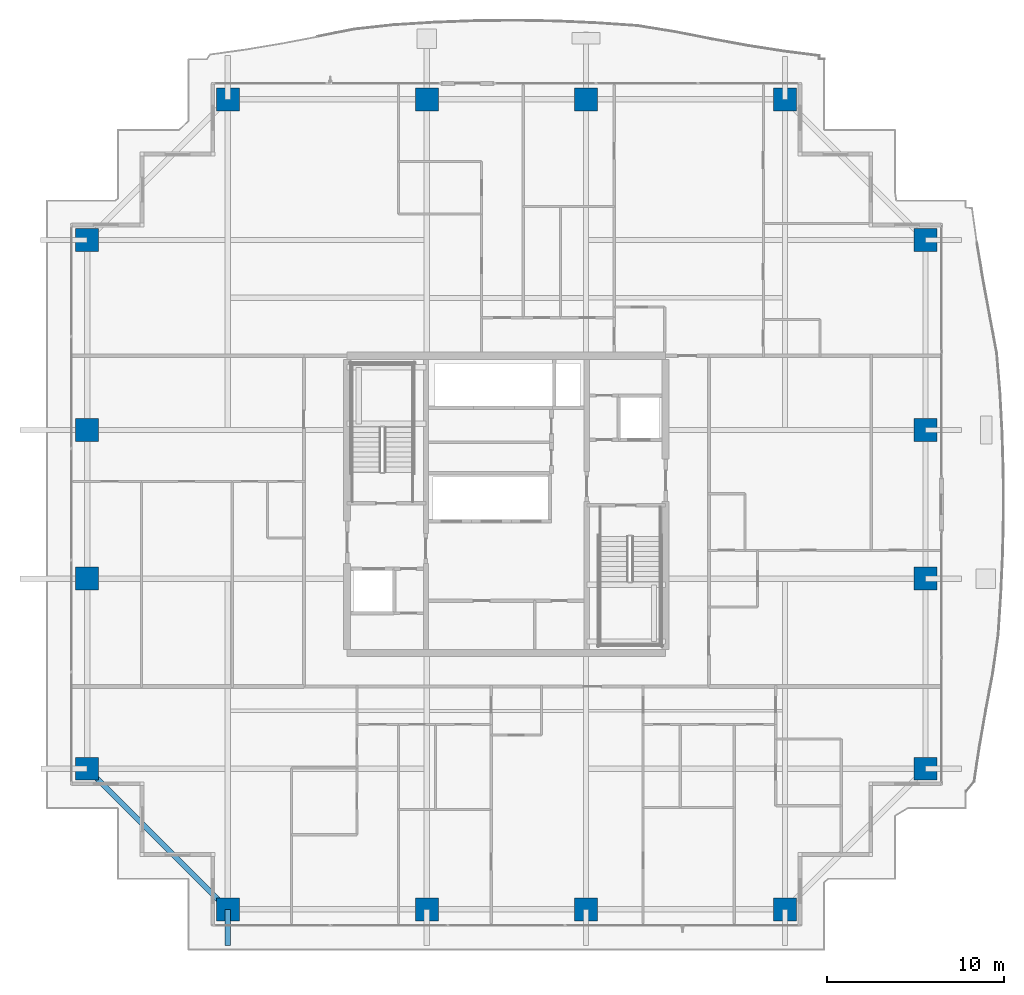
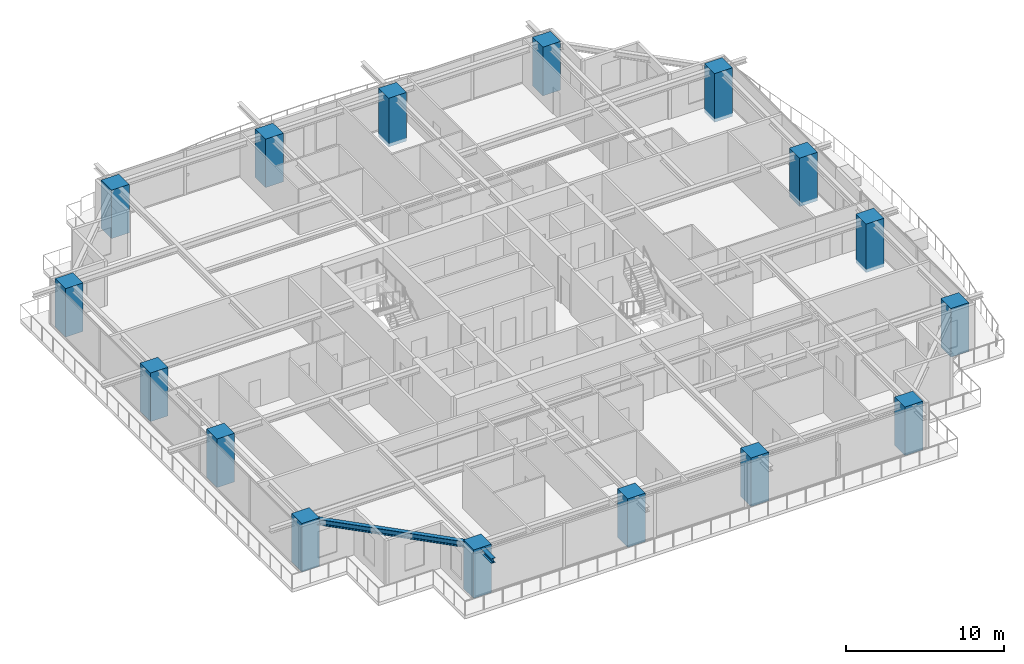
# One storey, part 1 of 34: 16 columns, 2 beams.
"""IFC4 building model written with IfcOpenShell, lengths in metres."""

from ifc_helpers import new_model, si_unit, direction, frame, origin, origin_2d, place, context, subcontext, project, spatial, rectangle, i_section, extrude, source, transform, mapped, material, material_profile, profile_set, type_object, element, save


model = new_model("IFC4")

# Units and contexts
model_context = context("Model", 3, precision=1e-05, world=origin(), true_north=direction((0.0, 1.0)))
body_context = subcontext(model_context, "Body", "Model", "MODEL_VIEW")
ifc_project = project(units=[si_unit("LENGTHUNIT", "METRE"), si_unit("AREAUNIT", "SQUARE_METRE"), si_unit("VOLUMEUNIT", "CUBIC_METRE"), si_unit("PLANEANGLEUNIT", "RADIAN"), si_unit("MASSUNIT", "GRAM", prefix="KILO")], contexts=[model_context])

# Site, building, storey
site_placement = place(None, origin())
site = spatial("IfcSite", under=ifc_project, at=site_placement, CompositionType="ELEMENT")
building_placement = place(site_placement, origin())
building = spatial("IfcBuilding", under=site, at=building_placement, Name="Serunith Strait Residences", CompositionType="ELEMENT")
storey_placement = place(building_placement, frame((0.0, 0.0, 135.14990234375)))
storey = spatial("IfcBuildingStorey", under=building, at=storey_placement, Name="L33", CompositionType="ELEMENT", Elevation=135.14990234375)

# Columns
ifc_material_1 = material(Name="Concrete C80/95", Category="concrete")
ifc_material_profile_1 = material_profile(ifc_material_1, rectangle(XDim=1.300048828125, YDim=1.300048828125, at=origin_2d()), Name="RC 1300x1300")
ifc_profile_set_1 = profile_set([ifc_material_profile_1], Name="Concrete C80/95")
column_type = type_object("IfcColumnType", Name="COL-RC-1300", PredefinedType="COLUMN", material=ifc_profile_set_1)
shared_shape_1 = source(origin(), body_context, "Body", "SweptSolid", [
    extrude(rectangle(XDim=1.300048828125, YDim=1.300048828125, at=origin_2d()), origin(), (0.0, 0.0, 1.0), 3.75),
])
for number, where, z_axis, x_axis, name in (
    (1, (16.64990234375, 2.300048828125, -0.260009765625), (0.0, 0.0, 1.0), (1.0, 0.0, 0.0), "L33 Tower Mega-Column TC-S1"),
    (2, (27.89990234375, 2.300048828125, -0.260009765625), (0.0, 0.0, 1.0), (1.0, 0.0, 0.0), "L33 Tower Mega-Column TC-S2"),
    (3, (36.89990234375, 2.300048828125, -0.260009765625), (0.0, 0.0, 1.0), (1.0, 0.0, 0.0), "L33 Tower Mega-Column TC-S3"),
    (4, (48.14990234375, 2.300048828125, -0.260009765625), (0.0, 0.0, 1.0), (1.0, 0.0, 0.0), "L33 Tower Mega-Column TC-S4"),
    (5, (16.64990234375, 48.10009765625, -0.260009765625), (0.0, 0.0, 1.0), (1.0, 0.0, 0.0), "L33 Tower Mega-Column TC-N1"),
    (6, (27.89990234375, 48.10009765625, -0.260009765625), (0.0, 0.0, 1.0), (1.0, 0.0, 0.0), "L33 Tower Mega-Column TC-N2"),
    (7, (36.89990234375, 48.10009765625, -0.260009765625), (0.0, 0.0, 1.0), (1.0, 0.0, 0.0), "L33 Tower Mega-Column TC-N3"),
    (8, (48.14990234375, 48.10009765625, -0.260009765625), (0.0, 0.0, 1.0), (1.0, 0.0, 0.0), "L33 Tower Mega-Column TC-N4"),
    (9, (56.10009765625, 10.25, -0.260009765625), (0.0, 0.0, 1.0), (1.0, 0.0, 0.0), "L33 Tower Mega-Column TC-E1"),
    (10, (56.10009765625, 21.0, -0.260009765625), (0.0, 0.0, 1.0), (1.0, 0.0, 0.0), "L33 Tower Mega-Column TC-E2"),
    (11, (56.10009765625, 29.39990234375, -0.260009765625), (0.0, 0.0, 1.0), (1.0, 0.0, 0.0), "L33 Tower Mega-Column TC-E3"),
    (12, (56.10009765625, 40.14990234375, -0.260009765625), (0.0, 0.0, 1.0), (1.0, 0.0, 0.0), "L33 Tower Mega-Column TC-E4"),
    (13, (8.699951171875, 10.25, -0.260009765625), (0.0, 0.0, 1.0), (1.0, 0.0, 0.0), "L33 Tower Mega-Column TC-W1"),
    (14, (8.699951171875, 21.0, -0.260009765625), (0.0, 0.0, 1.0), (1.0, 0.0, 0.0), "L33 Tower Mega-Column TC-W2"),
    (15, (8.699951171875, 29.39990234375, -0.260009765625), (0.0, 0.0, 1.0), (1.0, 0.0, 0.0), "L33 Tower Mega-Column TC-W3"),
    (16, (8.699951171875, 40.14990234375, -0.260009765625), (0.0, 0.0, 1.0), (1.0, 0.0, 0.0), "L33 Tower Mega-Column TC-W4"),
):
    element("IfcColumn", number, at=place(storey_placement, frame(where, z_axis=z_axis, x_axis=x_axis)), inside=storey, type_object=column_type, Name=name, PredefinedType="COLUMN", context=body_context, shape_type="MappedRepresentation", body=[
        mapped(shared_shape_1, transform((0.0, 0.0, 0.0), scale=1.0)),
    ])

# Beams
ifc_material_2 = material(Name="Steel S355J2", Category="steel")
ifc_material_profile_2 = material_profile(ifc_material_2, i_section(OverallWidth=0.300048828125, OverallDepth=0.449951171875, WebThickness=0.013916015625, FlangeThickness=0.02587890625, FilletRadius=0.027099609375, at=origin_2d()), Name="HEB 450")
ifc_profile_set_2 = profile_set([ifc_material_profile_2], Name="Steel S355J2")
beam_type_1 = type_object("IfcBeamType", Name="BM-HEB450", PredefinedType="BEAM", material=ifc_profile_set_2)
shared_shape_2 = source(origin(), body_context, "Body", "SweptSolid", [
    extrude(i_section(OverallWidth=0.300048828125, OverallDepth=0.449951171875, WebThickness=0.013916015625, FlangeThickness=0.02587890625, FilletRadius=0.027099609375, at=origin_2d()), origin(), (0.0, 0.0, 1.0), 11.242919921875),
])
beam_1_placement = place(storey_placement, frame((8.699951171875, 10.25, 3.232177734375), z_axis=(0.707106781187, -0.707106781187, 0.0), x_axis=(0.707106781187, 0.707106781187, 0.0)))
element("IfcBeam", 17, at=beam_1_placement, inside=storey, type_object=beam_type_1, Name="L33 Perimeter Ring Beam 16", PredefinedType="BEAM", context=body_context, shape_type="MappedRepresentation", body=[
    mapped(shared_shape_2, transform((0.0, 0.0, 0.0), scale=1.0)),
])
ifc_material_profile_3 = material_profile(ifc_material_2, i_section(OverallWidth=0.300048828125, OverallDepth=0.360107421875, WebThickness=0.012451171875, FlangeThickness=0.0224609375, FilletRadius=0.027099609375, at=origin_2d()), Name="HEB 360")
ifc_profile_set_3 = profile_set([ifc_material_profile_3], Name="Steel S355J2")
beam_type_2 = type_object("IfcBeamType", Name="BM-HEB360", PredefinedType="BEAM", material=ifc_profile_set_3)
shared_shape_3 = source(origin(), body_context, "Body", "SweptSolid", [
    extrude(i_section(OverallWidth=0.300048828125, OverallDepth=0.360107421875, WebThickness=0.012451171875, FlangeThickness=0.0224609375, FilletRadius=0.027099609375, at=origin_2d()), origin(), (0.0, 0.0, 1.0), 2.030029296875),
])
beam_2_placement = place(storey_placement, frame((16.64990234375, 2.300048828125, 3.277099609375), z_axis=(0.0, -1.0, 0.0), x_axis=(1.0, 0.0, 0.0)))
element("IfcBeam", 18, at=beam_2_placement, inside=storey, type_object=beam_type_2, Name="L34 Cantilevered Balcony Rib TC-S1", PredefinedType="BEAM", context=body_context, shape_type="MappedRepresentation", body=[
    mapped(shared_shape_3, transform((0.0, 0.0, 0.0), scale=1.0)),
])

save(model, "model.ifc")
